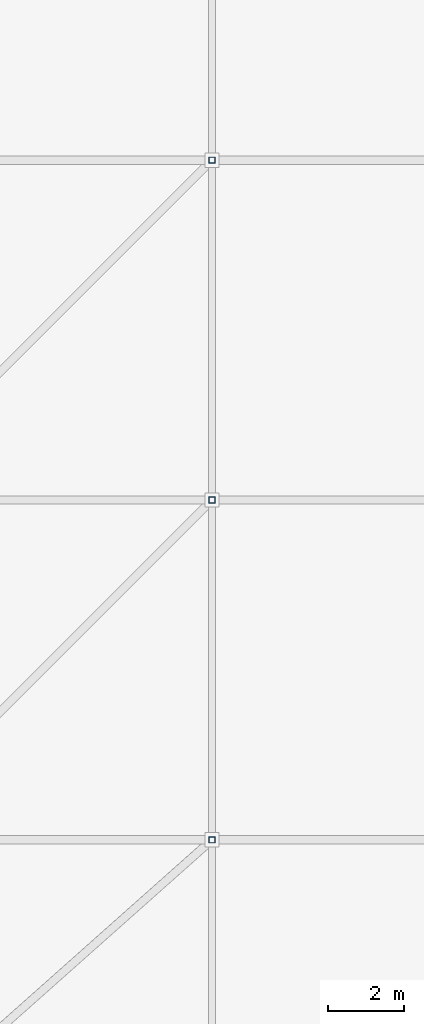
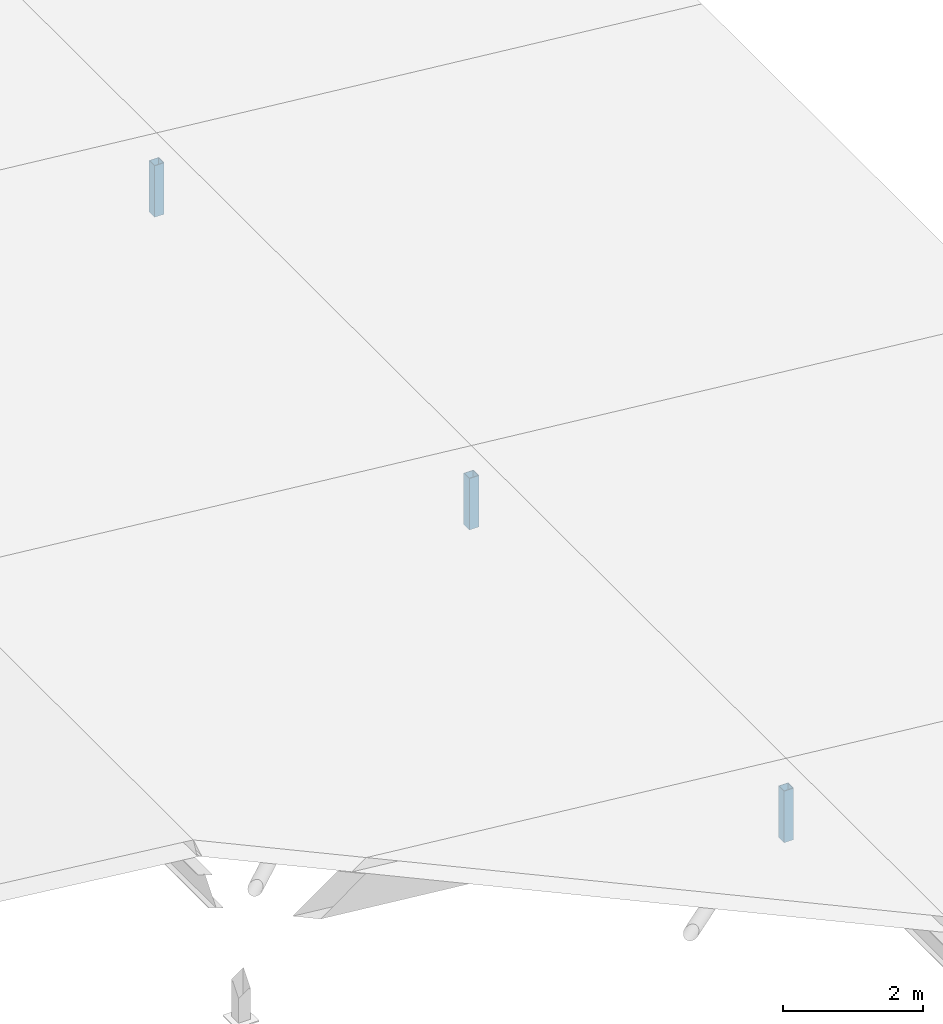
# One storey, part 20 of 93: 3 columns.
"""IFC4 building model written with IfcOpenShell, lengths in metres."""

from ifc_helpers import new_model, si_unit, direction, frame, origin, origin_2d, place, context, subcontext, project, spatial, hollow_rectangle, extrude, material, material_profile, profile_set, type_object, element, save


model = new_model("IFC4")

# Units and contexts
model_context = context("Model", 3, precision=1e-05, world=origin(), true_north=direction((0.0, 1.0)))
body_context = subcontext(model_context, "Body", "Model", "MODEL_VIEW")
ifc_project = project(units=[si_unit("LENGTHUNIT", "METRE"), si_unit("AREAUNIT", "SQUARE_METRE"), si_unit("VOLUMEUNIT", "CUBIC_METRE"), si_unit("PLANEANGLEUNIT", "RADIAN"), si_unit("MASSUNIT", "GRAM", prefix="KILO")], contexts=[model_context])

# Site, building, storey
site_placement = place(None, origin())
site = spatial("IfcSite", under=ifc_project, at=site_placement, CompositionType="ELEMENT")
building_placement = place(site_placement, origin())
building = spatial("IfcBuilding", under=site, at=building_placement, Name="Vourika Railside Aquatics Centre", CompositionType="ELEMENT")
storey_placement = place(building_placement, frame((0.0, 0.0, 21.89990234375)))
storey = spatial("IfcBuildingStorey", under=building, at=storey_placement, Name="Roof", CompositionType="ELEMENT", Elevation=21.89990234375)

# Columns
ifc_material = material(Name="Steel S355J2", Category="steel")
ifc_material_profile = material_profile(ifc_material, hollow_rectangle(XDim=0.159912109375, YDim=0.159912109375, WallThickness=0.008056640625, at=origin_2d()), Name="SHS 160x160x8")
ifc_profile_set = profile_set([ifc_material_profile], Name="Steel S355J2")
column_type = type_object("IfcColumnType", Name="COL-STL-SHS160", PredefinedType="COLUMN", material=ifc_profile_set)
for number, where, z_axis, x_axis, name in (
    (1, (159.0, 66.0, -8.39990234375), (0.0, 0.0, 1.0), (1.0, 0.0, 0.0), "Foyer Canopy Ridge Post (159,66)"),
    (2, (159.0, 75.0, -8.39990234375), (0.0, 0.0, 1.0), (1.0, 0.0, 0.0), "Foyer Canopy Ridge Post (159,75)"),
    (3, (159.0, 84.0, -8.39990234375), (0.0, 0.0, 1.0), (1.0, 0.0, 0.0), "Foyer Canopy Ridge Post (159,84)"),
):
    element("IfcColumn", number, at=place(storey_placement, frame(where, z_axis=z_axis, x_axis=x_axis)), inside=storey, type_object=column_type, Name=name, PredefinedType="COLUMN", context=body_context, shape_type="SweptSolid", body=[
        extrude(hollow_rectangle(XDim=0.159912109375, YDim=0.159912109375, WallThickness=0.008056640625, at=origin_2d()), origin(), (0.0, 0.0, 1.0), 0.89990234375),
    ])

save(model, "model.ifc")
